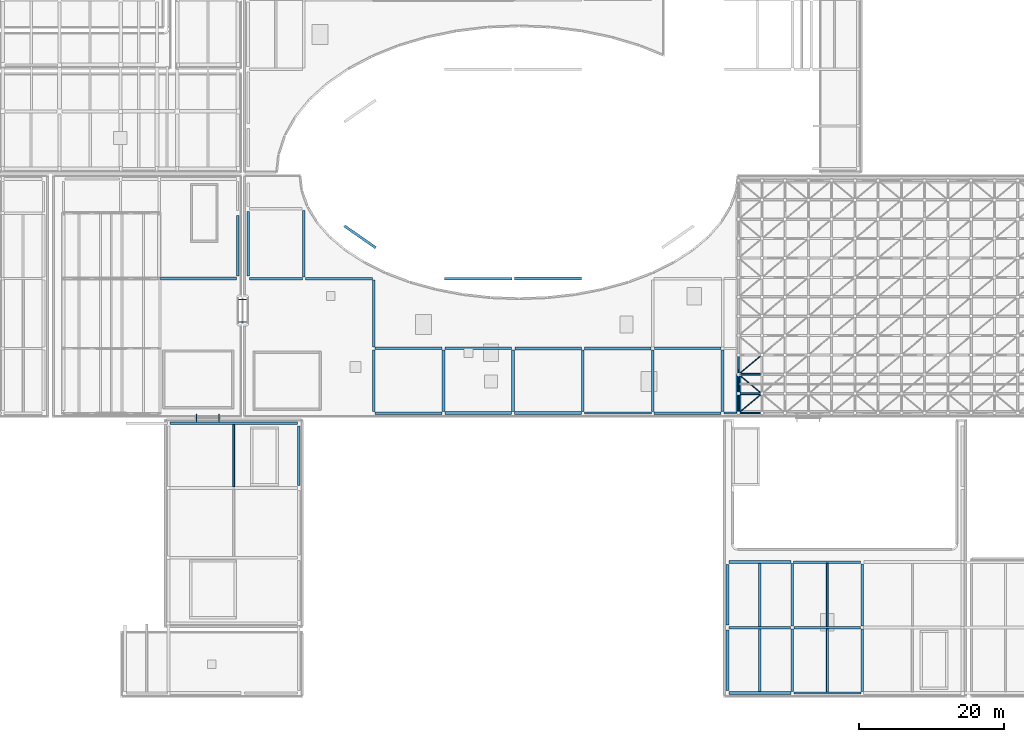
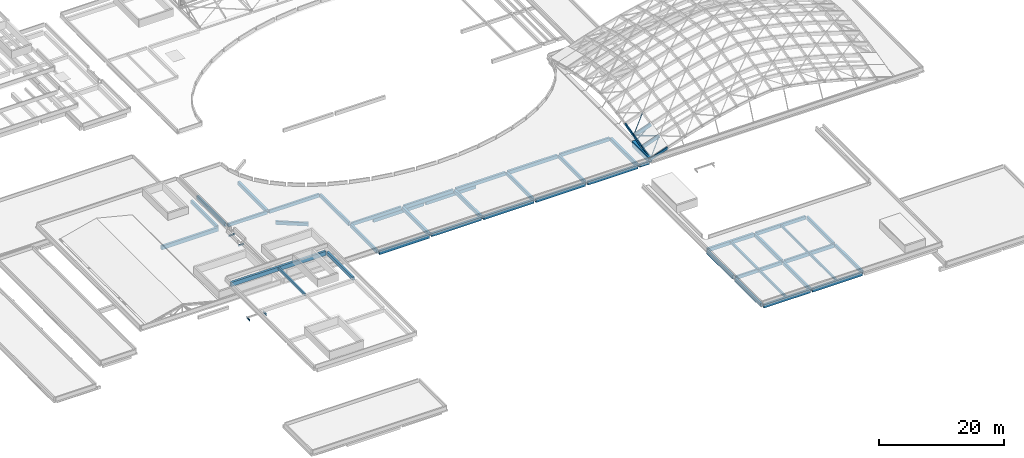
# One storey, part 5 of 40: 51 beams, 10 members.
"""IFC4 building model written with IfcOpenShell, lengths in metres."""

from ifc_helpers import new_model, si_unit, direction, frame, origin, origin_2d, place, context, subcontext, project, spatial, rectangle, hollow_circle, i_section, extrude, material, material_profile, profile_set, type_object, element, save


model = new_model("IFC4")

# Units and contexts
model_context = context("Model", 3, precision=1e-05, world=origin(), true_north=direction((0.0, 1.0)))
body_context = subcontext(model_context, "Body", "Model", "MODEL_VIEW")
ifc_project = project(units=[si_unit("LENGTHUNIT", "METRE"), si_unit("AREAUNIT", "SQUARE_METRE"), si_unit("VOLUMEUNIT", "CUBIC_METRE"), si_unit("PLANEANGLEUNIT", "RADIAN"), si_unit("MASSUNIT", "GRAM", prefix="KILO")], contexts=[model_context])

# Site, building, storey
site_placement = place(None, origin())
site = spatial("IfcSite", under=ifc_project, at=site_placement, CompositionType="ELEMENT")
building_placement = place(site_placement, origin())
building = spatial("IfcBuilding", under=site, at=building_placement, Name="Mzevani Central Library", CompositionType="ELEMENT")
storey_placement = place(building_placement, frame((0.0, 0.0, 26.699951171875)))
storey = spatial("IfcBuildingStorey", under=building, at=storey_placement, Name="RF", CompositionType="ELEMENT", Elevation=26.699951171875)

# Beams
ifc_material_1 = material(Name="Concrete C35/45", Category="concrete")
ifc_material_profile_1 = material_profile(ifc_material_1, rectangle(XDim=0.300048828125, YDim=0.60009765625, at=origin_2d()), Name="RC B300x600")
ifc_profile_set_1 = profile_set([ifc_material_profile_1], Name="Concrete C35/45")
beam_type_1 = type_object("IfcBeamType", Name="Beam RC 300x600", PredefinedType="BEAM", material=ifc_profile_set_1)
beam_1_placement = place(storey_placement, frame((112.199951171875, 43.10009765625, -13.4599609375), z_axis=(1.0, 0.0, 0.0), x_axis=(0.0, 1.0, 0.0)))
element("IfcBeam", 1, at=beam_1_placement, inside=storey, type_object=beam_type_1, Name="RF V1 Girder B-03 (146)", PredefinedType="BEAM", context=body_context, shape_type="SweptSolid", body=[
    extrude(rectangle(XDim=0.300048828125, YDim=0.60009765625, at=origin_2d()), origin(), (0.0, 0.0, 1.0), 1.75),
])
ifc_material_profile_2 = material_profile(ifc_material_1, rectangle(XDim=0.35009765625, YDim=0.60009765625, at=origin_2d()), Name="RC B350x600")
ifc_profile_set_2 = profile_set([ifc_material_profile_2], Name="Concrete C35/45")
beam_type_2 = type_object("IfcBeamType", Name="Beam RC 350x600", PredefinedType="BEAM", material=ifc_profile_set_2)
beam_2_placement = place(storey_placement, frame((46.925048828125, 61.60009765625, -13.4599609375), z_axis=(1.0, 0.0, 0.0), x_axis=(0.0, 1.0, 0.0)))
element("IfcBeam", 2, at=beam_2_placement, inside=storey, type_object=beam_type_2, Name="RF V1 Girder B-04 (155)", PredefinedType="BEAM", context=body_context, shape_type="SweptSolid", body=[
    extrude(rectangle(XDim=0.35009765625, YDim=0.60009765625, at=origin_2d()), origin(), (0.0, 0.0, 1.0), 7.27490234375),
])
ifc_material_profile_3 = material_profile(ifc_material_1, rectangle(XDim=0.35009765625, YDim=0.64990234375, at=origin_2d()), Name="RC B350x650")
ifc_profile_set_3 = profile_set([ifc_material_profile_3], Name="Concrete C35/45")
beam_type_3 = type_object("IfcBeamType", Name="Beam RC 350x650", PredefinedType="BEAM", material=ifc_profile_set_3)
beam_3_placement = place(storey_placement, frame((59.97607421875, 68.85107421875, -21.885009765625), z_axis=(0.820607192785, -0.571492637879, 0.0), x_axis=(0.571492637879, 0.820607192785, 0.0)))
element("IfcBeam", 3, at=beam_3_placement, inside=storey, type_object=beam_type_3, Name="RF V1 Court Ring Beam 4", PredefinedType="BEAM", context=body_context, shape_type="SweptSolid", body=[
    extrude(rectangle(XDim=0.35009765625, YDim=0.64990234375, at=origin_2d()), origin(), (0.0, 0.0, 1.0), 5.26171875),
])
for number, where, z_axis, x_axis, name in (
    (4, (64.22509765625, 52.0, -13.48486328125), (1.0, 0.0, 0.0), (0.0, 1.0, 0.0), "RF V1 Girder B-05 (148)"),
    (5, (102.625, 52.0, -13.48486328125), (1.0, 0.0, 0.0), (0.0, 1.0, 0.0), "RF V1 Girder B-05 (152)"),
):
    element("IfcBeam", number, at=place(storey_placement, frame(where, z_axis=z_axis, x_axis=x_axis)), inside=storey, type_object=beam_type_3, Name=name, PredefinedType="BEAM", context=body_context, shape_type="SweptSolid", body=[
        extrude(rectangle(XDim=0.35009765625, YDim=0.64990234375, at=origin_2d()), origin(), (0.0, 0.0, 1.0), 9.14990234375),
    ])
beam_4_placement = place(storey_placement, frame((54.60009765625, 61.60009765625, -13.48486328125), z_axis=(1.0, 0.0, 0.0), x_axis=(0.0, 1.0, 0.0)))
element("IfcBeam", 6, at=beam_4_placement, inside=storey, type_object=beam_type_3, Name="RF V1 Girder B-05 (156)", PredefinedType="BEAM", context=body_context, shape_type="SweptSolid", body=[
    extrude(rectangle(XDim=0.35009765625, YDim=0.64990234375, at=origin_2d()), origin(), (0.0, 0.0, 1.0), 9.224853515625),
])
for number, where, z_axis, x_axis, name in (
    (7, (64.0, 43.300048828125, -13.48486328125), (0.0, 1.0, 0.0), (-1.0, 0.0, 0.0), "RF V1 Frame Beam B-05 (164)"),
    (8, (92.800048828125, 43.300048828125, -13.48486328125), (0.0, 1.0, 0.0), (-1.0, 0.0, 0.0), "RF V1 Frame Beam B-05 (168)"),
):
    element("IfcBeam", number, at=place(storey_placement, frame(where, z_axis=z_axis, x_axis=x_axis)), inside=storey, type_object=beam_type_3, Name=name, PredefinedType="BEAM", context=body_context, shape_type="SweptSolid", body=[
        extrude(rectangle(XDim=0.35009765625, YDim=0.64990234375, at=origin_2d()), origin(), (0.0, 0.0, 1.0), 8.474853515625),
    ])
beam_5_placement = place(storey_placement, frame((53.699951171875, 33.14990234375, -8.98486328125), z_axis=(0.0, 1.0, 0.0), x_axis=(-1.0, 0.0, 0.0)))
element("IfcBeam", 9, at=beam_5_placement, inside=storey, type_object=beam_type_3, Name="RF V4 Frame Beam B-05 (896)", PredefinedType="BEAM", context=body_context, shape_type="SweptSolid", body=[
    extrude(rectangle(XDim=0.35009765625, YDim=0.64990234375, at=origin_2d()), origin(), (0.0, 0.0, 1.0), 8.2001953125),
])
beam_6_placement = place(storey_placement, frame((45.300048828125, 61.949951171875, -13.48486328125), z_axis=(0.0, 1.0, 0.0), x_axis=(-1.0, 0.0, 0.0)))
element("IfcBeam", 10, at=beam_6_placement, inside=storey, type_object=beam_type_3, Name="RF V5 Frame Beam B-05 (1032)", PredefinedType="BEAM", context=body_context, shape_type="SweptSolid", body=[
    extrude(rectangle(XDim=0.35009765625, YDim=0.64990234375, at=origin_2d()), origin(), (0.0, 0.0, 1.0), 8.300048828125),
])
beam_7_placement = place(storey_placement, frame((112.875, 13.60009765625, -17.68505859375), z_axis=(1.0, 0.0, 0.0), x_axis=(0.0, 1.0, 0.0)))
element("IfcBeam", 11, at=beam_7_placement, inside=storey, type_object=beam_type_3, Name="RF V6 Girder B-05 (1088)", PredefinedType="BEAM", context=body_context, shape_type="SweptSolid", body=[
    extrude(rectangle(XDim=0.35009765625, YDim=0.64990234375, at=origin_2d()), origin(), (0.0, 0.0, 1.0), 8.5),
])
beam_8_placement = place(storey_placement, frame((121.77490234375, 22.60009765625, -17.68505859375), z_axis=(1.0, 0.0, 0.0), x_axis=(0.0, 1.0, 0.0)))
element("IfcBeam", 12, at=beam_8_placement, inside=storey, type_object=beam_type_3, Name="RF V6 Girder B-05 (1092)", PredefinedType="BEAM", context=body_context, shape_type="SweptSolid", body=[
    extrude(rectangle(XDim=0.35009765625, YDim=0.64990234375, at=origin_2d()), origin(), (0.0, 0.0, 1.0), 9.2001953125),
])
beam_9_placement = place(storey_placement, frame((121.60009765625, 4.800048828125, -17.68505859375), z_axis=(0.0, 1.0, 0.0), x_axis=(-1.0, 0.0, 0.0)))
element("IfcBeam", 13, at=beam_9_placement, inside=storey, type_object=beam_type_3, Name="RF V6 Frame Beam B-05 (1100)", PredefinedType="BEAM", context=body_context, shape_type="SweptSolid", body=[
    extrude(rectangle(XDim=0.35009765625, YDim=0.64990234375, at=origin_2d()), origin(), (0.0, 0.0, 1.0), 8.574951171875),
])
beam_10_placement = place(storey_placement, frame((131.199951171875, 4.77490234375, -17.68505859375), z_axis=(0.0, 1.0, 0.0), x_axis=(-1.0, 0.0, 0.0)))
element("IfcBeam", 14, at=beam_10_placement, inside=storey, type_object=beam_type_3, Name="RF V6 Frame Beam B-05 (1104)", PredefinedType="BEAM", context=body_context, shape_type="SweptSolid", body=[
    extrude(rectangle(XDim=0.35009765625, YDim=0.64990234375, at=origin_2d()), origin(), (0.0, 0.0, 1.0), 8.625),
])
ifc_material_profile_4 = material_profile(ifc_material_1, rectangle(XDim=0.35009765625, YDim=0.699951171875, at=origin_2d()), Name="RC B350x700")
ifc_profile_set_4 = profile_set([ifc_material_profile_4], Name="Concrete C35/45")
beam_type_4 = type_object("IfcBeamType", Name="Beam RC 350x700", PredefinedType="BEAM", material=ifc_profile_set_4)
beam_11_placement = place(storey_placement, frame((73.77490234375, 61.60009765625, -21.909912109375), z_axis=(1.0, 0.0, 0.0), x_axis=(0.0, 1.0, 0.0)))
element("IfcBeam", 15, at=beam_11_placement, inside=storey, type_object=beam_type_4, Name="RF V1 Girder B-06 (25)", PredefinedType="BEAM", context=body_context, shape_type="SweptSolid", body=[
    extrude(rectangle(XDim=0.35009765625, YDim=0.699951171875, at=origin_2d()), origin(), (0.0, 0.0, 1.0), 9.25),
])
beam_12_placement = place(storey_placement, frame((102.60009765625, 43.10009765625, -13.510009765625), z_axis=(1.0, 0.0, 0.0), x_axis=(0.0, 1.0, 0.0)))
element("IfcBeam", 16, at=beam_12_placement, inside=storey, type_object=beam_type_4, Name="RF V1 Girder B-06 (145)", PredefinedType="BEAM", context=body_context, shape_type="SweptSolid", body=[
    extrude(rectangle(XDim=0.35009765625, YDim=0.699951171875, at=origin_2d()), origin(), (0.0, 0.0, 1.0), 9.199951171875),
])
beam_13_placement = place(storey_placement, frame((73.824951171875, 52.0, -13.510009765625), z_axis=(1.0, 0.0, 0.0), x_axis=(0.0, 1.0, 0.0)))
element("IfcBeam", 17, at=beam_13_placement, inside=storey, type_object=beam_type_4, Name="RF V1 Girder B-06 (149)", PredefinedType="BEAM", context=body_context, shape_type="SweptSolid", body=[
    extrude(rectangle(XDim=0.35009765625, YDim=0.699951171875, at=origin_2d()), origin(), (0.0, 0.0, 1.0), 9.150146484375),
])
beam_14_placement = place(storey_placement, frame((46.75, 61.949951171875, -13.510009765625), z_axis=(0.0, 1.0, 0.0), x_axis=(-1.0, 0.0, 0.0)))
element("IfcBeam", 18, at=beam_14_placement, inside=storey, type_object=beam_type_4, Name="RF V1 Frame Beam B-06 (161)", PredefinedType="BEAM", context=body_context, shape_type="SweptSolid", body=[
    extrude(rectangle(XDim=0.35009765625, YDim=0.699951171875, at=origin_2d()), origin(), (0.0, 0.0, 1.0), 8.900146484375),
])
beam_15_placement = place(storey_placement, frame((64.0, 52.22509765625, -13.510009765625), z_axis=(0.0, 1.0, 0.0), x_axis=(-1.0, 0.0, 0.0)))
element("IfcBeam", 19, at=beam_15_placement, inside=storey, type_object=beam_type_4, Name="RF V1 Frame Beam B-06 (165)", PredefinedType="BEAM", context=body_context, shape_type="SweptSolid", body=[
    extrude(rectangle(XDim=0.35009765625, YDim=0.699951171875, at=origin_2d()), origin(), (0.0, 0.0, 1.0), 9.199951171875),
])
beam_16_placement = place(storey_placement, frame((102.39990234375, 43.300048828125, -13.510009765625), z_axis=(0.0, 1.0, 0.0), x_axis=(-1.0, 0.0, 0.0)))
element("IfcBeam", 20, at=beam_16_placement, inside=storey, type_object=beam_type_4, Name="RF V1 Frame Beam B-06 (169)", PredefinedType="BEAM", context=body_context, shape_type="SweptSolid", body=[
    extrude(rectangle(XDim=0.35009765625, YDim=0.699951171875, at=origin_2d()), origin(), (0.0, 0.0, 1.0), 8.474853515625),
])
beam_17_placement = place(storey_placement, frame((112.875, 4.60009765625, -17.7099609375), z_axis=(1.0, 0.0, 0.0), x_axis=(0.0, 1.0, 0.0)))
element("IfcBeam", 21, at=beam_17_placement, inside=storey, type_object=beam_type_4, Name="RF V6 Girder B-06 (1085)", PredefinedType="BEAM", context=body_context, shape_type="SweptSolid", body=[
    extrude(rectangle(XDim=0.35009765625, YDim=0.699951171875, at=origin_2d()), origin(), (0.0, 0.0, 1.0), 8.52490234375),
])
beam_18_placement = place(storey_placement, frame((121.824951171875, 13.60009765625, -17.7099609375), z_axis=(1.0, 0.0, 0.0), x_axis=(0.0, 1.0, 0.0)))
element("IfcBeam", 22, at=beam_18_placement, inside=storey, type_object=beam_type_4, Name="RF V6 Girder B-06 (1089)", PredefinedType="BEAM", context=body_context, shape_type="SweptSolid", body=[
    extrude(rectangle(XDim=0.35009765625, YDim=0.699951171875, at=origin_2d()), origin(), (0.0, 0.0, 1.0), 9.175048828125),
])
beam_19_placement = place(storey_placement, frame((121.60009765625, 13.824951171875, -17.7099609375), z_axis=(0.0, 1.0, 0.0), x_axis=(-1.0, 0.0, 0.0)))
element("IfcBeam", 23, at=beam_19_placement, inside=storey, type_object=beam_type_4, Name="RF V6 Frame Beam B-06 (1101)", PredefinedType="BEAM", context=body_context, shape_type="SweptSolid", body=[
    extrude(rectangle(XDim=0.35009765625, YDim=0.699951171875, at=origin_2d()), origin(), (0.0, 0.0, 1.0), 8.60009765625),
])
beam_20_placement = place(storey_placement, frame((131.199951171875, 13.800048828125, -17.7099609375), z_axis=(0.0, 1.0, 0.0), x_axis=(-1.0, 0.0, 0.0)))
element("IfcBeam", 24, at=beam_20_placement, inside=storey, type_object=beam_type_4, Name="RF V6 Frame Beam B-06 (1105)", PredefinedType="BEAM", context=body_context, shape_type="SweptSolid", body=[
    extrude(rectangle(XDim=0.35009765625, YDim=0.699951171875, at=origin_2d()), origin(), (0.0, 0.0, 1.0), 8.574951171875),
])
ifc_material_profile_5 = material_profile(ifc_material_1, rectangle(XDim=0.39990234375, YDim=0.64990234375, at=origin_2d()), Name="RC B400x650")
ifc_profile_set_5 = profile_set([ifc_material_profile_5], Name="Concrete C35/45")
beam_type_5 = type_object("IfcBeamType", Name="Beam RC 400x650", PredefinedType="BEAM", material=ifc_profile_set_5)
beam_21_placement = place(storey_placement, frame((83.375, 61.60009765625, -21.885009765625), z_axis=(1.0, 0.0, 0.0), x_axis=(0.0, 1.0, 0.0)))
element("IfcBeam", 25, at=beam_21_placement, inside=storey, type_object=beam_type_5, Name="RF V1 Girder B-07 (26)", PredefinedType="BEAM", context=body_context, shape_type="SweptSolid", body=[
    extrude(rectangle(XDim=0.39990234375, YDim=0.64990234375, at=origin_2d()), origin(), (0.0, 0.0, 1.0), 9.25),
])
beam_22_placement = place(storey_placement, frame((73.800048828125, 43.10009765625, -13.48486328125), z_axis=(1.0, 0.0, 0.0), x_axis=(0.0, 1.0, 0.0)))
element("IfcBeam", 26, at=beam_22_placement, inside=storey, type_object=beam_type_5, Name="RF V1 Girder B-07 (142)", PredefinedType="BEAM", context=body_context, shape_type="SweptSolid", body=[
    extrude(rectangle(XDim=0.39990234375, YDim=0.64990234375, at=origin_2d()), origin(), (0.0, 0.0, 1.0), 9.199951171875),
])
beam_23_placement = place(storey_placement, frame((83.425048828125, 52.0, -13.48486328125), z_axis=(1.0, 0.0, 0.0), x_axis=(0.0, 1.0, 0.0)))
element("IfcBeam", 27, at=beam_23_placement, inside=storey, type_object=beam_type_5, Name="RF V1 Girder B-07 (150)", PredefinedType="BEAM", context=body_context, shape_type="SweptSolid", body=[
    extrude(rectangle(XDim=0.39990234375, YDim=0.64990234375, at=origin_2d()), origin(), (0.0, 0.0, 1.0), 9.14990234375),
])
beam_24_placement = place(storey_placement, frame((73.60009765625, 43.300048828125, -13.48486328125), z_axis=(0.0, 1.0, 0.0), x_axis=(-1.0, 0.0, 0.0)))
element("IfcBeam", 28, at=beam_24_placement, inside=storey, type_object=beam_type_5, Name="RF V1 Frame Beam B-07 (166)", PredefinedType="BEAM", context=body_context, shape_type="SweptSolid", body=[
    extrude(rectangle(XDim=0.39990234375, YDim=0.64990234375, at=origin_2d()), origin(), (0.0, 0.0, 1.0), 8.474853515625),
])
beam_25_placement = place(storey_placement, frame((112.699951171875, 4.949951171875, -17.68505859375), z_axis=(0.0, 1.0, 0.0), x_axis=(-1.0, 0.0, 0.0)))
element("IfcBeam", 29, at=beam_25_placement, inside=storey, type_object=beam_type_5, Name="RF V6 Frame Beam B-07 (1098)", PredefinedType="BEAM", context=body_context, shape_type="SweptSolid", body=[
    extrude(rectangle(XDim=0.39990234375, YDim=0.64990234375, at=origin_2d()), origin(), (0.0, 0.0, 1.0), 8.300048828125),
])
ifc_material_profile_6 = material_profile(ifc_material_1, rectangle(XDim=0.39990234375, YDim=0.699951171875, at=origin_2d()), Name="RC B400x700")
ifc_profile_set_6 = profile_set([ifc_material_profile_6], Name="Concrete C35/45")
beam_type_6 = type_object("IfcBeamType", Name="Beam RC 400x700", PredefinedType="BEAM", material=ifc_profile_set_6)
beam_26_placement = place(storey_placement, frame((83.39990234375, 43.10009765625, -13.510009765625), z_axis=(1.0, 0.0, 0.0), x_axis=(0.0, 1.0, 0.0)))
element("IfcBeam", 30, at=beam_26_placement, inside=storey, type_object=beam_type_6, Name="RF V1 Girder B-08 (143)", PredefinedType="BEAM", context=body_context, shape_type="SweptSolid", body=[
    extrude(rectangle(XDim=0.39990234375, YDim=0.699951171875, at=origin_2d()), origin(), (0.0, 0.0, 1.0), 9.2001953125),
])
beam_27_placement = place(storey_placement, frame((93.02490234375, 52.0, -13.510009765625), z_axis=(1.0, 0.0, 0.0), x_axis=(0.0, 1.0, 0.0)))
element("IfcBeam", 31, at=beam_27_placement, inside=storey, type_object=beam_type_6, Name="RF V1 Girder B-08 (151)", PredefinedType="BEAM", context=body_context, shape_type="SweptSolid", body=[
    extrude(rectangle(XDim=0.39990234375, YDim=0.699951171875, at=origin_2d()), origin(), (0.0, 0.0, 1.0), 9.150146484375),
])
beam_28_placement = place(storey_placement, frame((54.39990234375, 61.800048828125, -13.510009765625), z_axis=(0.0, 1.0, 0.0), x_axis=(-1.0, 0.0, 0.0)))
element("IfcBeam", 32, at=beam_28_placement, inside=storey, type_object=beam_type_6, Name="RF V1 Frame Beam B-08 (163)", PredefinedType="BEAM", context=body_context, shape_type="SweptSolid", body=[
    extrude(rectangle(XDim=0.39990234375, YDim=0.699951171875, at=origin_2d()), origin(), (0.0, 0.0, 1.0), 9.175048828125),
])
for number, where, z_axis, x_axis, name in (
    (33, (83.199951171875, 43.300048828125, -13.510009765625), (0.0, 1.0, 0.0), (-1.0, 0.0, 0.0), "RF V1 Frame Beam B-08 (167)"),
    (34, (112.0, 43.300048828125, -13.510009765625), (0.0, 1.0, 0.0), (-1.0, 0.0, 0.0), "RF V1 Frame Beam B-08 (171)"),
):
    element("IfcBeam", number, at=place(storey_placement, frame(where, z_axis=z_axis, x_axis=x_axis)), inside=storey, type_object=beam_type_6, Name=name, PredefinedType="BEAM", context=body_context, shape_type="SweptSolid", body=[
        extrude(rectangle(XDim=0.39990234375, YDim=0.699951171875, at=origin_2d()), origin(), (0.0, 0.0, 1.0), 8.474853515625),
    ])
beam_29_placement = place(storey_placement, frame((112.875, 22.60009765625, -17.7099609375), z_axis=(1.0, 0.0, 0.0), x_axis=(0.0, 1.0, 0.0)))
element("IfcBeam", 35, at=beam_29_placement, inside=storey, type_object=beam_type_6, Name="RF V6 Girder B-08 (1091)", PredefinedType="BEAM", context=body_context, shape_type="SweptSolid", body=[
    extrude(rectangle(XDim=0.39990234375, YDim=0.699951171875, at=origin_2d()), origin(), (0.0, 0.0, 1.0), 8.550048828125),
])
beam_30_placement = place(storey_placement, frame((112.699951171875, 13.949951171875, -17.7099609375), z_axis=(0.0, 1.0, 0.0), x_axis=(-1.0, 0.0, 0.0)))
element("IfcBeam", 36, at=beam_30_placement, inside=storey, type_object=beam_type_6, Name="RF V6 Frame Beam B-08 (1099)", PredefinedType="BEAM", context=body_context, shape_type="SweptSolid", body=[
    extrude(rectangle(XDim=0.39990234375, YDim=0.699951171875, at=origin_2d()), origin(), (0.0, 0.0, 1.0), 8.300048828125),
])
ifc_material_profile_7 = material_profile(ifc_material_1, rectangle(XDim=0.39990234375, YDim=0.75, at=origin_2d()), Name="RC B400x750")
ifc_profile_set_7 = profile_set([ifc_material_profile_7], Name="Concrete C35/45")
beam_type_7 = type_object("IfcBeamType", Name="Beam RC 400x750", PredefinedType="BEAM", material=ifc_profile_set_7)
beam_31_placement = place(storey_placement, frame((34.699951171875, 61.60009765625, -13.534912109375), z_axis=(1.0, 0.0, 0.0), x_axis=(0.0, 1.0, 0.0)))
element("IfcBeam", 37, at=beam_31_placement, inside=storey, type_object=beam_type_7, Name="RF V5 Girder B-09 (1021)", PredefinedType="BEAM", context=body_context, shape_type="SweptSolid", body=[
    extrude(rectangle(XDim=0.39990234375, YDim=0.75, at=origin_2d()), origin(), (0.0, 0.0, 1.0), 10.425048828125),
])
ifc_material_profile_8 = material_profile(ifc_material_1, rectangle(XDim=0.39990234375, YDim=0.800048828125, at=origin_2d()), Name="RC B400x800")
ifc_profile_set_8 = profile_set([ifc_material_profile_8], Name="Concrete C35/45")
beam_type_8 = type_object("IfcBeamType", Name="Beam RC 400x800", PredefinedType="BEAM", material=ifc_profile_set_8)
beam_32_placement = place(storey_placement, frame((35.97509765625, 41.699951171875, -9.06005859375), z_axis=(1.0, 0.0, 0.0), x_axis=(0.0, 1.0, 0.0)))
element("IfcBeam", 38, at=beam_32_placement, inside=storey, type_object=beam_type_8, Name="RF V4 Girder B-10 (890)", PredefinedType="BEAM", context=body_context, shape_type="SweptSolid", body=[
    extrude(rectangle(XDim=0.39990234375, YDim=0.800048828125, at=origin_2d()), origin(), (0.0, 0.0, 1.0), 17.5498046875),
])
ifc_material_2 = material(Name="Precast concrete C40/50", Category="concrete")
ifc_material_profile_9 = material_profile(ifc_material_2, rectangle(XDim=0.35009765625, YDim=0.800048828125, at=origin_2d()), Name="RC SP350x800")
ifc_profile_set_9 = profile_set([ifc_material_profile_9], Name="Precast concrete C40/50")
beam_type_9 = type_object("IfcBeamType", Name="Colonnade Fascia Beam RC 350x800", PredefinedType="SPANDREL", material=ifc_profile_set_9)
beam_33_placement = place(storey_placement, frame((64.199951171875, 43.10009765625, -13.56005859375), z_axis=(1.0, 0.0, 0.0), x_axis=(0.0, 1.0, 0.0)))
element("IfcBeam", 39, at=beam_33_placement, inside=storey, type_object=beam_type_9, Name="RF V1 Girder SP-02 (141)", PredefinedType="SPANDREL", context=body_context, shape_type="SweptSolid", body=[
    extrude(rectangle(XDim=0.35009765625, YDim=0.800048828125, at=origin_2d()), origin(), (0.0, 0.0, 1.0), 9.199951171875),
])
ifc_material_profile_10 = material_profile(ifc_material_2, rectangle(XDim=0.300048828125, YDim=0.75, at=origin_2d()), Name="RC SP300x750")
ifc_profile_set_10 = profile_set([ifc_material_profile_10], Name="Precast concrete C40/50")
beam_type_10 = type_object("IfcBeamType", Name="Edge Spandrel Beam RC 300x750", PredefinedType="SPANDREL", material=ifc_profile_set_10)
beam_34_placement = place(storey_placement, frame((93.0, 43.10009765625, -13.534912109375), z_axis=(1.0, 0.0, 0.0), x_axis=(0.0, 1.0, 0.0)))
element("IfcBeam", 40, at=beam_34_placement, inside=storey, type_object=beam_type_10, Name="RF V1 Girder SP-01 (144)", PredefinedType="SPANDREL", context=body_context, shape_type="SweptSolid", body=[
    extrude(rectangle(XDim=0.300048828125, YDim=0.75, at=origin_2d()), origin(), (0.0, 0.0, 1.0), 9.199951171875),
])
beam_35_placement = place(storey_placement, frame((121.800048828125, 4.60009765625, -17.73486328125), z_axis=(1.0, 0.0, 0.0), x_axis=(0.0, 1.0, 0.0)))
element("IfcBeam", 41, at=beam_35_placement, inside=storey, type_object=beam_type_10, Name="RF V6 Girder SP-01 (1086)", PredefinedType="SPANDREL", context=body_context, shape_type="SweptSolid", body=[
    extrude(rectangle(XDim=0.300048828125, YDim=0.75, at=origin_2d()), origin(), (0.0, 0.0, 1.0), 9.224853515625),
])
ifc_material_profile_11 = material_profile(ifc_material_1, rectangle(XDim=0.25, YDim=0.449951171875, at=origin_2d()), Name="RC J250x450")
ifc_profile_set_11 = profile_set([ifc_material_profile_11], Name="Concrete C35/45")
beam_type_11 = type_object("IfcBeamType", Name="Floor Joist RC 250x450", PredefinedType="JOIST", material=ifc_profile_set_11)
beam_36_placement = place(storey_placement, frame((126.41259765625, 4.75, -17.5849609375), z_axis=(0.0, 1.0, 0.0), x_axis=(-1.0, 0.0, 0.0)))
element("IfcBeam", 42, at=beam_36_placement, inside=storey, type_object=beam_type_11, Name="RF V6 Floor Joist BJ-01 (1113)", PredefinedType="JOIST", context=body_context, shape_type="SweptSolid", body=[
    extrude(rectangle(XDim=0.25, YDim=0.449951171875, at=origin_2d()), origin(), (0.0, 0.0, 1.0), 8.675048828125),
])
beam_37_placement = place(storey_placement, frame((126.39990234375, 13.77490234375, -17.5849609375), z_axis=(0.0, 1.0, 0.0), x_axis=(-1.0, 0.0, 0.0)))
element("IfcBeam", 43, at=beam_37_placement, inside=storey, type_object=beam_type_11, Name="RF V6 Floor Joist BJ-01 (1116)", PredefinedType="JOIST", context=body_context, shape_type="SweptSolid", body=[
    extrude(rectangle(XDim=0.25, YDim=0.449951171875, at=origin_2d()), origin(), (0.0, 0.0, 1.0), 8.650146484375),
])
ifc_material_profile_12 = material_profile(ifc_material_1, rectangle(XDim=0.25, YDim=0.5, at=origin_2d()), Name="RC J250x500")
ifc_profile_set_12 = profile_set([ifc_material_profile_12], Name="Concrete C35/45")
beam_type_12 = type_object("IfcBeamType", Name="Floor Joist RC 250x500", PredefinedType="JOIST", material=ifc_profile_set_12)
beam_38_placement = place(storey_placement, frame((44.75, 33.0, -8.909912109375), z_axis=(0.0, 1.0, 0.0), x_axis=(-1.0, 0.0, 0.0)))
element("IfcBeam", 44, at=beam_38_placement, inside=storey, type_object=beam_type_12, Name="RF V4 Floor Joist BJ-02 (898)", PredefinedType="JOIST", context=body_context, shape_type="SweptSolid", body=[
    extrude(rectangle(XDim=0.25, YDim=0.5, at=origin_2d()), origin(), (0.0, 0.0, 1.0), 8.5),
])
ifc_material_profile_13 = material_profile(ifc_material_1, rectangle(XDim=0.300048828125, YDim=0.449951171875, at=origin_2d()), Name="RC J300x450")
ifc_profile_set_13 = profile_set([ifc_material_profile_13], Name="Concrete C35/45")
beam_type_13 = type_object("IfcBeamType", Name="Floor Joist RC 300x450", PredefinedType="JOIST", material=ifc_profile_set_13)
beam_39_placement = place(storey_placement, frame((117.125, 4.77490234375, -17.5849609375), z_axis=(0.0, 1.0, 0.0), x_axis=(-1.0, 0.0, 0.0)))
element("IfcBeam", 45, at=beam_39_placement, inside=storey, type_object=beam_type_13, Name="RF V6 Floor Joist BJ-03 (1112)", PredefinedType="JOIST", context=body_context, shape_type="SweptSolid", body=[
    extrude(rectangle(XDim=0.300048828125, YDim=0.449951171875, at=origin_2d()), origin(), (0.0, 0.0, 1.0), 8.650146484375),
])
beam_40_placement = place(storey_placement, frame((117.125, 13.77490234375, -17.5849609375), z_axis=(0.0, 1.0, 0.0), x_axis=(-1.0, 0.0, 0.0)))
element("IfcBeam", 46, at=beam_40_placement, inside=storey, type_object=beam_type_13, Name="RF V6 Floor Joist BJ-03 (1115)", PredefinedType="JOIST", context=body_context, shape_type="SweptSolid", body=[
    extrude(rectangle(XDim=0.300048828125, YDim=0.449951171875, at=origin_2d()), origin(), (0.0, 0.0, 1.0), 8.625),
])

# Members
ifc_material_3 = material(Name="Steel S355J2", Category="steel")
ifc_material_profile_14 = material_profile(ifc_material_3, hollow_circle(Radius=0.096923828125, WallThickness=0.010009765625, at=origin_2d()), Name="CHS 193.7x10.0")
ifc_profile_set_14 = profile_set([ifc_material_profile_14], Name="Steel S355J2")
member_type_1 = type_object("IfcMemberType", Name="Gridshell Corner Raker CHS 193.7", PredefinedType="BRACE", material=ifc_profile_set_14)
member_1_placement = place(storey_placement, frame((114.35009765625, 48.433349609375, -12.949951171875), z_axis=(0.77037029705, 0.0, 0.637596742011), x_axis=(0.0, 1.0, 0.0)))
element("IfcMember", 47, at=member_1_placement, inside=storey, type_object=member_type_1, Name="RF Gridshell West Springing Raker 1", PredefinedType="BRACE", context=body_context, shape_type="SweptSolid", body=[
    extrude(hollow_circle(Radius=0.096923828125, WallThickness=0.010009765625, at=origin_2d()), origin(), (0.0, 0.0, 1.0), 3.958984375),
])
ifc_material_4 = material(Name="Glulam GL28h", Category="wood")
ifc_material_profile_15 = material_profile(ifc_material_4, rectangle(XDim=0.199951171875, YDim=0.47998046875, at=origin_2d()), Name="GL28h 200x480")
ifc_profile_set_15 = profile_set([ifc_material_profile_15], Name="Glulam GL28h")
member_type_2 = type_object("IfcMemberType", Name="Gridshell Edge Rib GL28h 200x480", PredefinedType="RAFTER", material=ifc_profile_set_15)
member_2_placement = place(storey_placement, frame((114.199951171875, 43.10009765625, -12.919921875), z_axis=(0.943711214964, 0.0, 0.330770528843), x_axis=(0.0, 1.0, 0.0)))
element("IfcMember", 48, at=member_2_placement, inside=storey, type_object=member_type_2, Name="RF Gridshell Glulam Arch Rib X1.1", PredefinedType="RAFTER", context=body_context, shape_type="SweptSolid", body=[
    extrude(rectangle(XDim=0.199951171875, YDim=0.47998046875, at=origin_2d()), origin(), (0.0, 0.0, 1.0), 3.390869140625),
])
member_3_placement = place(storey_placement, frame((114.199951171875, 43.10009765625, -12.919921875), z_axis=(0.0, 0.963264772672, 0.268553491374), x_axis=(-1.0, 0.0, 0.0)))
element("IfcMember", 49, at=member_3_placement, inside=storey, type_object=member_type_2, Name="RF Gridshell Glulam Transverse Rib Y1.1", PredefinedType="RAFTER", context=body_context, shape_type="SweptSolid", body=[
    extrude(rectangle(XDim=0.199951171875, YDim=0.47998046875, at=origin_2d()), origin(), (0.0, 0.0, 1.0), 2.768310546875),
])
member_4_placement = place(storey_placement, frame((114.199951171875, 45.7666015625, -12.176513671875), z_axis=(0.0, 0.969084447248, 0.246729272892), x_axis=(-1.0, 0.0, 0.0)))
element("IfcMember", 50, at=member_4_placement, inside=storey, type_object=member_type_2, Name="RF Gridshell Glulam Transverse Rib Y1.2", PredefinedType="RAFTER", context=body_context, shape_type="SweptSolid", body=[
    extrude(rectangle(XDim=0.199951171875, YDim=0.47998046875, at=origin_2d()), origin(), (0.0, 0.0, 1.0), 2.751708984375),
])
member_5_placement = place(storey_placement, frame((114.199951171875, 48.433349609375, -11.49755859375), z_axis=(0.0, 0.975103909038, 0.221748430839), x_axis=(-1.0, 0.0, 0.0)))
element("IfcMember", 51, at=member_5_placement, inside=storey, type_object=member_type_2, Name="RF Gridshell Glulam Transverse Rib Y1.3", PredefinedType="RAFTER", context=body_context, shape_type="SweptSolid", body=[
    extrude(rectangle(XDim=0.199951171875, YDim=0.47998046875, at=origin_2d()), origin(), (0.0, 0.0, 1.0), 2.73486328125),
])
ifc_material_profile_16 = material_profile(ifc_material_4, rectangle(XDim=0.239990234375, YDim=0.6201171875, at=origin_2d()), Name="GL28h 240x620")
ifc_profile_set_16 = profile_set([ifc_material_profile_16], Name="Glulam GL28h")
member_type_3 = type_object("IfcMemberType", Name="Gridshell Primary Rib GL28h 240x620", PredefinedType="RAFTER", material=ifc_profile_set_16)
member_6_placement = place(storey_placement, frame((114.199951171875, 45.7666015625, -12.24658203125), z_axis=(0.943711214964, 0.0, 0.330770528843), x_axis=(0.0, 1.0, 0.0)))
element("IfcMember", 52, at=member_6_placement, inside=storey, type_object=member_type_3, Name="RF Gridshell Glulam Arch Rib X2.1", PredefinedType="RAFTER", context=body_context, shape_type="SweptSolid", body=[
    extrude(rectangle(XDim=0.239990234375, YDim=0.6201171875, at=origin_2d()), origin(), (0.0, 0.0, 1.0), 3.390869140625),
])
ifc_material_profile_17 = material_profile(ifc_material_4, rectangle(XDim=0.239990234375, YDim=0.679931640625, at=origin_2d()), Name="GL28h 240x680")
ifc_profile_set_17 = profile_set([ifc_material_profile_17], Name="Glulam GL28h")
member_type_4 = type_object("IfcMemberType", Name="Gridshell Primary Rib GL28h 240x680", PredefinedType="RAFTER", material=ifc_profile_set_17)
member_7_placement = place(storey_placement, frame((114.199951171875, 48.433349609375, -11.597412109375), z_axis=(0.943711214964, 0.0, 0.330770528843), x_axis=(0.0, 1.0, 0.0)))
element("IfcMember", 53, at=member_7_placement, inside=storey, type_object=member_type_4, Name="RF Gridshell Glulam Arch Rib X3.1", PredefinedType="RAFTER", context=body_context, shape_type="SweptSolid", body=[
    extrude(rectangle(XDim=0.239990234375, YDim=0.679931640625, at=origin_2d()), origin(), (0.0, 0.0, 1.0), 3.390869140625),
])

# Beam
ifc_material_5 = material(Name="Concrete C40/50", Category="concrete")
ifc_material_profile_18 = material_profile(ifc_material_5, rectangle(XDim=0.64990234375, YDim=1.050048828125, at=origin_2d()), Name="RC RB650x1050")
ifc_profile_set_18 = profile_set([ifc_material_profile_18], Name="Concrete C40/50")
beam_type_14 = type_object("IfcBeamType", Name="Gridshell Ring Beam RC 650x1050", PredefinedType="BEAM", material=ifc_profile_set_18)
beam_41_placement = place(storey_placement, frame((114.199951171875, 43.10009765625, -13.02490234375), z_axis=(0.0, 1.0, 0.0), x_axis=(-1.0, 0.0, 0.0)))
element("IfcBeam", 54, at=beam_41_placement, inside=storey, type_object=beam_type_14, Name="RF Gridshell Ring Beam West Bay 1", PredefinedType="BEAM", context=body_context, shape_type="SweptSolid", body=[
    extrude(rectangle(XDim=0.64990234375, YDim=1.050048828125, at=origin_2d()), origin(), (0.0, 0.0, 1.0), 5.333251953125),
])

# Members
ifc_material_profile_19 = material_profile(ifc_material_3, hollow_circle(Radius=0.084228515625, WallThickness=0.010009765625, at=origin_2d()), Name="CHS 168.3x10.0")
ifc_profile_set_19 = profile_set([ifc_material_profile_19], Name="Steel S355J2")
member_type_5 = type_object("IfcMemberType", Name="Gridshell Springing Brace CHS 168.3", PredefinedType="BRACE", material=ifc_profile_set_19)
member_8_placement = place(storey_placement, frame((114.199951171875, 43.10009765625, -12.949951171875), z_axis=(0.701161924928, 0.584274856494, 0.4086500301), x_axis=(-0.640167103973, 0.768235692344, 0.0)))
element("IfcMember", 55, at=member_8_placement, inside=storey, type_object=member_type_5, Name="RF Gridshell Steel Diagonal 1.1", PredefinedType="BRACE", context=body_context, shape_type="SweptSolid", body=[
    extrude(hollow_circle(Radius=0.084228515625, WallThickness=0.010009765625, at=origin_2d()), origin(), (0.0, 0.0, 1.0), 4.563720703125),
])
member_9_placement = place(storey_placement, frame((114.199951171875, 48.433349609375, -11.527587890625), z_axis=(0.763906211629, -0.636617650845, 0.105665824497), x_axis=(0.640201694382, 0.768206867003, 0.0)))
element("IfcMember", 56, at=member_9_placement, inside=storey, type_object=member_type_5, Name="RF Gridshell Steel Diagonal 1.2", PredefinedType="BRACE", context=body_context, shape_type="SweptSolid", body=[
    extrude(hollow_circle(Radius=0.084228515625, WallThickness=0.010009765625, at=origin_2d()), origin(), (0.0, 0.0, 1.0), 4.18896484375),
])
member_10_placement = place(storey_placement, frame((114.199951171875, 48.433349609375, -11.527587890625), z_axis=(0.709572188178, 0.591337225259, 0.383180891731), x_axis=(-0.640201694382, 0.768206867003, 0.0)))
element("IfcMember", 57, at=member_10_placement, inside=storey, type_object=member_type_5, Name="RF Gridshell Steel Diagonal 1.3", PredefinedType="BRACE", context=body_context, shape_type="SweptSolid", body=[
    extrude(hollow_circle(Radius=0.084228515625, WallThickness=0.010009765625, at=origin_2d()), origin(), (0.0, 0.0, 1.0), 4.509765625),
])

# Beams
ifc_material_profile_20 = material_profile(ifc_material_3, i_section(OverallWidth=0.14990234375, OverallDepth=0.300048828125, WebThickness=0.007080078125, FlangeThickness=0.0107421875, FilletRadius=0.014892578125, at=origin_2d()), Name="IPE 300")
ifc_profile_set_20 = profile_set([ifc_material_profile_20], Name="Steel S355J2")
beam_type_15 = type_object("IfcBeamType", Name="Roof Beam Steel IPE 300", PredefinedType="BEAM", material=ifc_profile_set_20)
for number, where, z_axis, x_axis, name in (
    (58, (45.449951171875, 55.64990234375, -13.31494140625), (1.0, 0.0, 0.0), (0.0, 1.0, 0.0), "West Reading Seismic Passage L02 Roof Girder 1"),
    (59, (45.449951171875, 58.75, -13.31494140625), (1.0, 0.0, 0.0), (0.0, 1.0, 0.0), "West Reading Seismic Passage L02 Roof Girder 2"),
):
    element("IfcBeam", number, at=place(storey_placement, frame(where, z_axis=z_axis, x_axis=x_axis)), inside=storey, type_object=beam_type_15, Name=name, PredefinedType="BEAM", context=body_context, shape_type="SweptSolid", body=[
        extrude(i_section(OverallWidth=0.14990234375, OverallDepth=0.300048828125, WebThickness=0.007080078125, FlangeThickness=0.0107421875, FilletRadius=0.014892578125, at=origin_2d()), origin(), (0.0, 0.0, 1.0), 1.10009765625),
    ])
for number, where, z_axis, x_axis, name in (
    (60, (39.64990234375, 41.85009765625, -17.514892578125), (0.0, 1.0, 0.0), (-1.0, 0.0, 0.0), "Cultural-Auditorium Seismic Passage L01 Roof Girder 1"),
    (61, (42.75, 41.85009765625, -17.514892578125), (0.0, 1.0, 0.0), (-1.0, 0.0, 0.0), "Cultural-Auditorium Seismic Passage L01 Roof Girder 2"),
):
    element("IfcBeam", number, at=place(storey_placement, frame(where, z_axis=z_axis, x_axis=x_axis)), inside=storey, type_object=beam_type_15, Name=name, PredefinedType="BEAM", context=body_context, shape_type="SweptSolid", body=[
        extrude(i_section(OverallWidth=0.14990234375, OverallDepth=0.300048828125, WebThickness=0.007080078125, FlangeThickness=0.0107421875, FilletRadius=0.014892578125, at=origin_2d()), origin(), (0.0, 0.0, 1.0), 1.099853515625),
    ])

save(model, "model.ifc")
